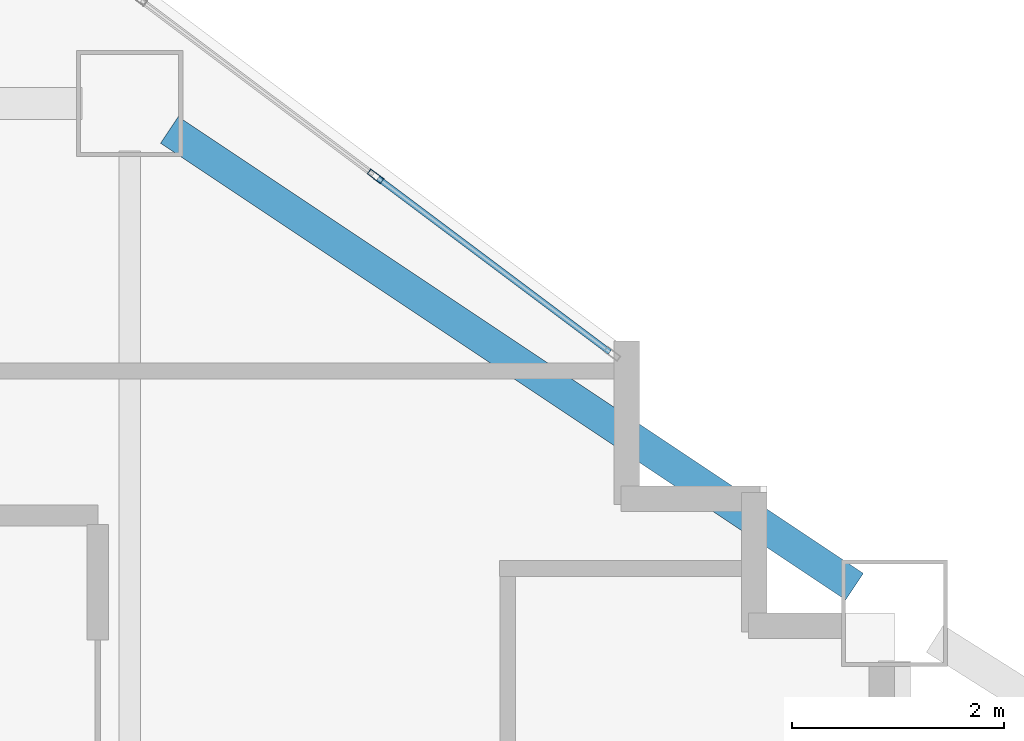
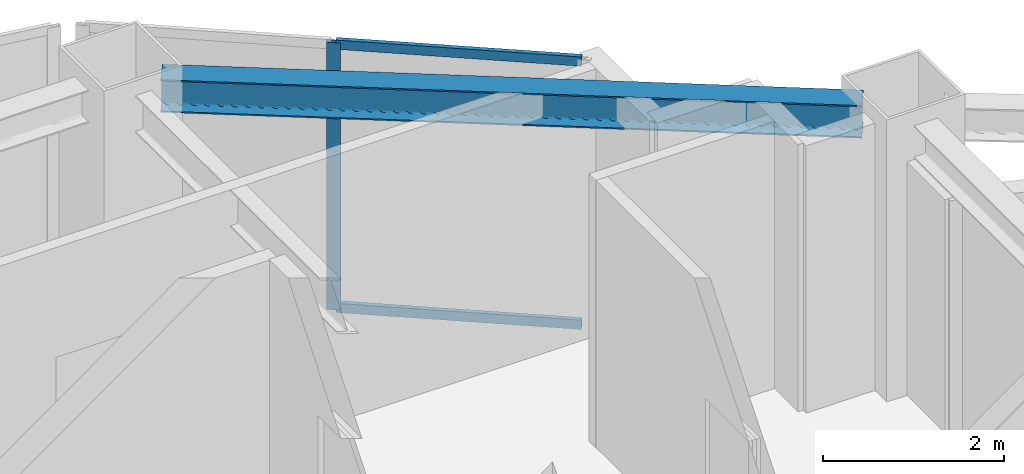
# One storey, part 3 of 15: 3 members, 1 beam, 1 element without a shape of its own.
"""IFC4 building model written with IfcOpenShell, lengths in metres."""

from ifc_helpers import new_model, si_unit, direction, frame, origin, origin_2d, place, context, subcontext, project, spatial, hollow_rectangle, i_section, extrude, material, layer, layer_set, material_profile, profile_set, type_object, element, aggregate, save


model = new_model("IFC4")

# Units and contexts
model_context = context("Model", 3, precision=1e-05, world=origin(), true_north=direction((0.0, 1.0)))
body_context = subcontext(model_context, "Body", "Model", "MODEL_VIEW")
ifc_project = project(units=[si_unit("LENGTHUNIT", "METRE"), si_unit("AREAUNIT", "SQUARE_METRE"), si_unit("VOLUMEUNIT", "CUBIC_METRE"), si_unit("PLANEANGLEUNIT", "RADIAN"), si_unit("MASSUNIT", "GRAM", prefix="KILO")], contexts=[model_context])

# Site, building, storey
site_placement = place(None, origin())
site = spatial("IfcSite", under=ifc_project, at=site_placement, CompositionType="ELEMENT")
building_placement = place(site_placement, origin())
building = spatial("IfcBuilding", under=site, at=building_placement, Name="Haolan Belvedere Tower", CompositionType="ELEMENT")
storey_placement = place(building_placement, frame((0.0, 0.0, 152.39990234375)))
storey = spatial("IfcBuildingStorey", under=building, at=storey_placement, Name="L38", CompositionType="ELEMENT", Elevation=152.39990234375)

# Beam
ifc_material_1 = material(Name="Steel Q355B", Category="steel")
ifc_material_profile_1 = material_profile(ifc_material_1, i_section(OverallWidth=0.300048828125, OverallDepth=0.43994140625, WebThickness=0.010986328125, FlangeThickness=0.01806640625, FilletRadius=0.02392578125, at=origin_2d()), Name="Steel Q355B")
ifc_profile_set_1 = profile_set([ifc_material_profile_1], Name="Steel Q355B")
beam_type = type_object("IfcBeamType", Name="BM-HM440x300x11x18", PredefinedType="SPANDREL", material=ifc_profile_set_1)
beam_placement = place(storey_placement, frame((45.974365234375, 50.150390625, 3.380126953125), z_axis=(0.832050294338, -0.554700196225, 0.0), x_axis=(0.554700196225, 0.832050294338, 0.0)))
element("IfcBeam", 1, at=beam_placement, inside=storey, type_object=beam_type, Name="L38 spandrel girder MC-T3-N2-MC-T3-NE", PredefinedType="SPANDREL", context=body_context, shape_type="SweptSolid", body=[
    extrude(i_section(OverallWidth=0.300048828125, OverallDepth=0.43994140625, WebThickness=0.010986328125, FlangeThickness=0.01806640625, FilletRadius=0.02392578125, at=origin_2d()), origin(), (0.0, 0.0, 1.0), 7.75341796875),
])

# Curtain wall, members
ifc_material_2 = material(Name="Anodised champagne-silver aluminium 6063-T6 and Low-E glass", Category="aluminium")
ifc_layer = layer(ifc_material_2, 0.155029296875, Name="Anodised champagne-silver aluminium 6063-T6 and Low-E glass")
ifc_layer_set = layer_set([ifc_layer], Name="Anodised champagne-silver aluminium 6063-T6 and Low-E glass")
curtain_wall_type = type_object("IfcCurtainWallType", Name="CW-SYS-03", PredefinedType="NOTDEFINED", material=ifc_layer_set)
curtain_wall_placement = place(storey_placement, origin())
curtain_wall = element("IfcCurtainWall", 2, at=curtain_wall_placement, inside=storey, type_object=curtain_wall_type, Name="L38 CW-SYS-03 ribbon curtain wall 26.1", PredefinedType="NOTDEFINED")
ifc_material_3 = material(Name="Anodised aluminium 6063-T6", Category="aluminium")
ifc_material_profile_2 = material_profile(ifc_material_3, hollow_rectangle(XDim=0.05810546875, YDim=0.155029296875, WallThickness=0.00390625, at=origin_2d()), Name="Anodised aluminium 6063-T6")
ifc_profile_set_2 = profile_set([ifc_material_profile_2], Name="Anodised aluminium 6063-T6")
member_type_1 = type_object("IfcMemberType", Name="CW-SYS-03-MUL", PredefinedType="MULLION", material=ifc_profile_set_2)
member_1_placement = place(storey_placement, frame((47.915771484375, 49.713134765625, 0.0), z_axis=(0.0, 0.0, 1.0), x_axis=(-0.599994316874, -0.800004262313, 0.0)))
member_1 = element("IfcMember", 3, at=member_1_placement, type_object=member_type_1, Name="CW-03 mullion 2", PredefinedType="MULLION", context=body_context, shape_type="SweptSolid", body=[
    extrude(hollow_rectangle(XDim=0.05810546875, YDim=0.155029296875, WallThickness=0.00390625, at=origin_2d()), origin(), (0.0, 0.0, 1.0), 3.60009765625),
])
ifc_material_profile_3 = material_profile(ifc_material_3, hollow_rectangle(XDim=0.053955078125, YDim=0.125, WallThickness=0.00390625, at=origin_2d()), Name="Anodised aluminium 6063-T6")
ifc_profile_set_3 = profile_set([ifc_material_profile_3], Name="Anodised aluminium 6063-T6")
member_type_2 = type_object("IfcMemberType", Name="CW-SYS-03-TRN", PredefinedType="USERDEFINED", material=ifc_profile_set_3)
member_2_placement = place(storey_placement, frame((50.12158203125, 48.058837890625, 0.027099609375), z_axis=(-0.8, 0.6, 0.0), x_axis=(-0.6, -0.8, 0.0)))
member_2 = element("IfcMember", 4, at=member_2_placement, type_object=member_type_2, Name="CW-03 transom 1.1", ObjectType="TRANSOM", PredefinedType="USERDEFINED", context=body_context, shape_type="SweptSolid", body=[
    extrude(hollow_rectangle(XDim=0.053955078125, YDim=0.125, WallThickness=0.00390625, at=origin_2d()), origin(), (0.0, 0.0, 1.0), 2.728271484375),
])
member_3_placement = place(storey_placement, frame((50.12158203125, 48.058837890625, 3.572998046875), z_axis=(-0.8, 0.6, 0.0), x_axis=(-0.6, -0.8, 0.0)))
member_3 = element("IfcMember", 5, at=member_3_placement, type_object=member_type_2, Name="CW-03 transom 1.2", ObjectType="TRANSOM", PredefinedType="USERDEFINED", context=body_context, shape_type="SweptSolid", body=[
    extrude(hollow_rectangle(XDim=0.053955078125, YDim=0.125, WallThickness=0.00390625, at=origin_2d()), origin(), (0.0, 0.0, 1.0), 2.728271484375),
])
aggregate(curtain_wall, [member_1, member_2, member_3])

save(model, "model.ifc")
